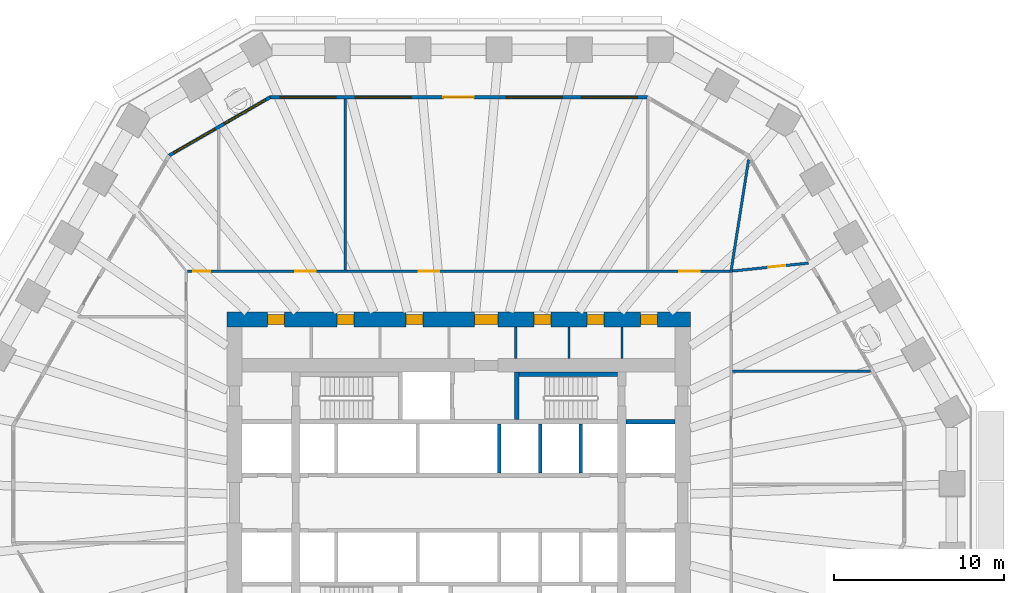
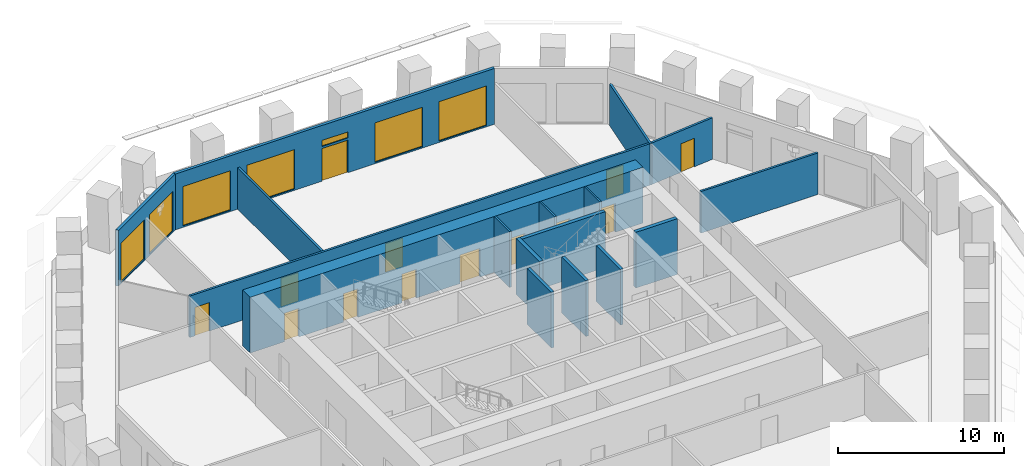
# One storey, part 7 of 12: 17 walls, 13 doors, 7 windows, 20 openings.
"""IFC4 building model written with IfcOpenShell, lengths in metres."""

from ifc_helpers import new_model, si_unit, direction, frame, frame_2d, origin, place, context, subcontext, project, spatial, polyline, rectangle, outline, extrude, material, layer, layer_set, type_object, element, fill, save


model = new_model("IFC4")

# Units and contexts
model_context = context("Model", 3, precision=1e-05, world=origin(), true_north=direction((0.0, 1.0)))
body_context = subcontext(model_context, "Body", "Model", "MODEL_VIEW")
ifc_project = project(units=[si_unit("LENGTHUNIT", "METRE"), si_unit("AREAUNIT", "SQUARE_METRE"), si_unit("VOLUMEUNIT", "CUBIC_METRE"), si_unit("PLANEANGLEUNIT", "RADIAN"), si_unit("MASSUNIT", "GRAM", prefix="KILO")], contexts=[model_context])

# Site, building, storey
site_placement = place(None, origin())
site = spatial("IfcSite", under=ifc_project, at=site_placement, CompositionType="ELEMENT")
building_placement = place(site_placement, origin())
building = spatial("IfcBuilding", under=site, at=building_placement, Name="Frailejon Research Tower", CompositionType="ELEMENT")
storey_placement = place(building_placement, frame((0.0, 0.0, 49.800048828125)))
storey = spatial("IfcBuildingStorey", under=building, at=storey_placement, Name="L11", CompositionType="ELEMENT", Elevation=49.800048828125)

# Walls
ifc_material_1 = material(Name="Plasterboard on steel studs", Category="steel")
ifc_layer_1 = layer(ifc_material_1, 0.125)
ifc_layer_set_1 = layer_set([ifc_layer_1], Name="Core partition 125")
wall_type_1 = type_object("IfcWallType", Name="Core partition 125", PredefinedType="PARTITIONING", material=ifc_layer_set_1)
for number, where, z_axis, x_axis, name in (
    (1, (3.362548828125, 8.5, 0.0), (0.0, 0.0, 1.0), (0.0, 1.0, 0.0), "Core partition"),
    (2, (6.49169921875, 8.5, 0.0), (0.0, 0.0, 1.0), (0.0, 1.0, 0.0), "Core partition"),
    (3, (9.620849609375, 8.5, 0.0), (0.0, 0.0, 1.0), (0.0, 1.0, 0.0), "Core partition"),
):
    element("IfcWall", number, at=place(storey_placement, frame(where, z_axis=z_axis, x_axis=x_axis)), inside=storey, type_object=wall_type_1, Name=name, PredefinedType="PARTITIONING", context=body_context, shape_type="SweptSolid", body=[
        extrude(rectangle(XDim=1.85009765625, YDim=0.125, at=frame_2d((0.925048828125, 0.0))), origin(), (0.0, 0.0, 1.0), 4.099853515625),
    ])

# Wall, openings, doors
ifc_material_2 = material(Name="Concrete C70/85", Category="concrete")
ifc_layer_2 = layer(ifc_material_2, 0.89990234375)
ifc_layer_set_2 = layer_set([ifc_layer_2], Name="Core shear wall 900 C70/85")
wall_type_2 = type_object("IfcWallType", Name="Core shear wall 900 C70/85", PredefinedType="SHEAR", material=ifc_layer_set_2)
wall_1_placement = place(storey_placement, frame((-13.64990234375, 10.800048828125, 0.0), z_axis=(0.0, 0.0, 1.0), x_axis=(1.0, 0.0, 0.0)))
wall_1 = element("IfcWall", 4, at=wall_1_placement, inside=storey, type_object=wall_type_2, Name="Core shear wall", PredefinedType="SHEAR", context=body_context, shape_type="SweptSolid", body=[
    extrude(rectangle(XDim=27.2998046875, YDim=0.89990234375, at=frame_2d((13.64990234375, 0.0))), origin(), (0.0, 0.0, 1.0), 4.099853515625),
])
opening_1_placement = place(wall_1_placement, frame((2.39990234375, 0.0, 0.0)))
opening_1 = element("IfcOpeningElement", 5, at=opening_1_placement, cuts=wall_1, Name="Opening D4", PredefinedType="OPENING", context=body_context, shape_type="SweptSolid", body=[
    extrude(rectangle(XDim=1.0, YDim=2.10009765625, at=frame_2d((0.5, 1.050048828125))), frame((0.0, 0.4599609375, 0.0), z_axis=(0.0, -1.0, 0.0), x_axis=(1.0, 0.0, 0.0)), (0.0, 0.0, 1.0), 0.919921875),
])
opening_2_placement = place(wall_1_placement, frame((6.49365234375, 0.0, 0.0)))
opening_2 = element("IfcOpeningElement", 6, at=opening_2_placement, cuts=wall_1, Name="Opening D4", PredefinedType="OPENING", context=body_context, shape_type="SweptSolid", body=[
    extrude(rectangle(XDim=1.0, YDim=2.10009765625, at=frame_2d((0.5, 1.050048828125))), frame((0.0, 0.4599609375, 0.0), z_axis=(0.0, -1.0, 0.0), x_axis=(1.0, 0.0, 0.0)), (0.0, 0.0, 1.0), 0.919921875),
])
opening_3_placement = place(wall_1_placement, frame((10.55615234375, 0.0, 0.0)))
opening_3 = element("IfcOpeningElement", 7, at=opening_3_placement, cuts=wall_1, Name="Opening D4", PredefinedType="OPENING", context=body_context, shape_type="SweptSolid", body=[
    extrude(rectangle(XDim=1.0, YDim=2.10009765625, at=frame_2d((0.5, 1.050048828125))), frame((0.0, 0.4599609375, 0.0), z_axis=(0.0, -1.0, 0.0), x_axis=(1.0, 0.0, 0.0)), (0.0, 0.0, 1.0), 0.919921875),
])
opening_4_placement = place(wall_1_placement, frame((18.0771484375, 0.0, 0.0)))
opening_4 = element("IfcOpeningElement", 8, at=opening_4_placement, cuts=wall_1, Name="Opening D4", PredefinedType="OPENING", context=body_context, shape_type="SweptSolid", body=[
    extrude(rectangle(XDim=1.0, YDim=2.10009765625, at=frame_2d((0.5, 1.050048828125))), frame((0.0, 0.4599609375, 0.0), z_axis=(0.0, -1.0, 0.0), x_axis=(1.0, 0.0, 0.0)), (0.0, 0.0, 1.0), 0.919921875),
])
opening_5_placement = place(wall_1_placement, frame((21.206298828125, 0.0, 0.0)))
opening_5 = element("IfcOpeningElement", 9, at=opening_5_placement, cuts=wall_1, Name="Opening D4", PredefinedType="OPENING", context=body_context, shape_type="SweptSolid", body=[
    extrude(rectangle(XDim=1.0, YDim=2.10009765625, at=frame_2d((0.5, 1.050048828125))), frame((0.0, 0.4599609375, 0.0), z_axis=(0.0, -1.0, 0.0), x_axis=(1.0, 0.0, 0.0)), (0.0, 0.0, 1.0), 0.919921875),
])
opening_6_placement = place(wall_1_placement, frame((24.36669921875, 0.0, 0.0)))
opening_6 = element("IfcOpeningElement", 10, at=opening_6_placement, cuts=wall_1, Name="Opening D4", PredefinedType="OPENING", context=body_context, shape_type="SweptSolid", body=[
    extrude(rectangle(XDim=1.0, YDim=2.10009765625, at=frame_2d((0.5, 1.050048828125))), frame((0.0, 0.4599609375, 0.0), z_axis=(0.0, -1.0, 0.0), x_axis=(1.0, 0.0, 0.0)), (0.0, 0.0, 1.0), 0.919921875),
])
opening_7_placement = place(wall_1_placement, frame((14.574951171875, 0.0, 0.0)))
opening_7 = element("IfcOpeningElement", 11, at=opening_7_placement, cuts=wall_1, Name="Opening D9", PredefinedType="OPENING", context=body_context, shape_type="SweptSolid", body=[
    extrude(rectangle(XDim=1.39990234375, YDim=2.10009765625, at=frame_2d((0.699951171875, 1.050048828125))), frame((0.0, 0.4599609375, 0.0), z_axis=(0.0, -1.0, 0.0), x_axis=(1.0, 0.0, 0.0)), (0.0, 0.0, 1.0), 0.919921875),
])
ifc_material_3 = material(Name="Steel", Category="steel")
door_type_1 = type_object("IfcDoorType", Name="Goods lobby door", OperationType="DOUBLE_DOOR_SINGLE_SWING", PredefinedType="DOOR", material=ifc_material_3)
door_1_placement = place(opening_7_placement, origin())
door_1 = element("IfcDoor", 12, at=door_1_placement, inside=storey, type_object=door_type_1, Name="Passage door", OperationType="DOUBLE_DOOR_SINGLE_SWING", OverallHeight=2.10009765625, OverallWidth=1.39990234375, PredefinedType="DOOR", context=body_context, shape_type="SweptSolid", body=[
    extrude(rectangle(XDim=1.39990234375, YDim=2.10009765625, at=frame_2d((0.699951171875, 1.050048828125))), frame((0.0, 0.300048828125, 0.0), z_axis=(0.0, -1.0, 0.0), x_axis=(1.0, 0.0, 0.0)), (0.0, 0.0, 1.0), 0.60009765625),
])
fill(opening_7, door_1)
ifc_material_4 = material(Name="Steel", Category="steel")
door_type_2 = type_object("IfcDoorType", Name="Service door", OperationType="SINGLE_SWING_LEFT", PredefinedType="DOOR", material=ifc_material_4)
door_2_placement = place(opening_1_placement, origin())
door_2 = element("IfcDoor", 13, at=door_2_placement, inside=storey, type_object=door_type_2, Name="Room door", OperationType="SINGLE_SWING_RIGHT", OverallHeight=2.10009765625, OverallWidth=1.0, PredefinedType="DOOR", context=body_context, shape_type="SweptSolid", body=[
    extrude(rectangle(XDim=1.0, YDim=2.10009765625, at=frame_2d((0.5, 1.050048828125))), frame((0.0, 0.300048828125, 0.0), z_axis=(0.0, -1.0, 0.0), x_axis=(1.0, 0.0, 0.0)), (0.0, 0.0, 1.0), 0.60009765625),
])
fill(opening_1, door_2)
door_3_placement = place(opening_2_placement, origin())
door_3 = element("IfcDoor", 14, at=door_3_placement, inside=storey, type_object=door_type_2, Name="Room door", OperationType="SINGLE_SWING_LEFT", OverallHeight=2.10009765625, OverallWidth=1.0, PredefinedType="DOOR", context=body_context, shape_type="SweptSolid", body=[
    extrude(rectangle(XDim=1.0, YDim=2.10009765625, at=frame_2d((0.5, 1.050048828125))), frame((0.0, 0.300048828125, 0.0), z_axis=(0.0, -1.0, 0.0), x_axis=(1.0, 0.0, 0.0)), (0.0, 0.0, 1.0), 0.60009765625),
])
fill(opening_2, door_3)
door_4_placement = place(opening_3_placement, origin())
door_4 = element("IfcDoor", 15, at=door_4_placement, inside=storey, type_object=door_type_2, Name="Room door", OperationType="SINGLE_SWING_RIGHT", OverallHeight=2.10009765625, OverallWidth=1.0, PredefinedType="DOOR", context=body_context, shape_type="SweptSolid", body=[
    extrude(rectangle(XDim=1.0, YDim=2.10009765625, at=frame_2d((0.5, 1.050048828125))), frame((0.0, 0.300048828125, 0.0), z_axis=(0.0, -1.0, 0.0), x_axis=(1.0, 0.0, 0.0)), (0.0, 0.0, 1.0), 0.60009765625),
])
fill(opening_3, door_4)
door_5_placement = place(opening_4_placement, origin())
door_5 = element("IfcDoor", 16, at=door_5_placement, inside=storey, type_object=door_type_2, Name="Room door", OperationType="SINGLE_SWING_LEFT", OverallHeight=2.10009765625, OverallWidth=1.0, PredefinedType="DOOR", context=body_context, shape_type="SweptSolid", body=[
    extrude(rectangle(XDim=1.0, YDim=2.10009765625, at=frame_2d((0.5, 1.050048828125))), frame((0.0, 0.300048828125, 0.0), z_axis=(0.0, -1.0, 0.0), x_axis=(1.0, 0.0, 0.0)), (0.0, 0.0, 1.0), 0.60009765625),
])
fill(opening_4, door_5)
door_6_placement = place(opening_5_placement, origin())
door_6 = element("IfcDoor", 17, at=door_6_placement, inside=storey, type_object=door_type_2, Name="Room door", OperationType="SINGLE_SWING_RIGHT", OverallHeight=2.10009765625, OverallWidth=1.0, PredefinedType="DOOR", context=body_context, shape_type="SweptSolid", body=[
    extrude(rectangle(XDim=1.0, YDim=2.10009765625, at=frame_2d((0.5, 1.050048828125))), frame((0.0, 0.300048828125, 0.0), z_axis=(0.0, -1.0, 0.0), x_axis=(1.0, 0.0, 0.0)), (0.0, 0.0, 1.0), 0.60009765625),
])
fill(opening_5, door_6)
door_7_placement = place(opening_6_placement, origin())
door_7 = element("IfcDoor", 18, at=door_7_placement, inside=storey, type_object=door_type_2, Name="Room door", OperationType="SINGLE_SWING_LEFT", OverallHeight=2.10009765625, OverallWidth=1.0, PredefinedType="DOOR", context=body_context, shape_type="SweptSolid", body=[
    extrude(rectangle(XDim=1.0, YDim=2.10009765625, at=frame_2d((0.5, 1.050048828125))), frame((0.0, 0.300048828125, 0.0), z_axis=(0.0, -1.0, 0.0), x_axis=(1.0, 0.0, 0.0)), (0.0, 0.0, 1.0), 0.60009765625),
])
fill(opening_6, door_7)

ifc_material_5 = material(Name="Gypsum board and masonry partition", Category="masonry")
ifc_layer_3 = layer(ifc_material_5, 0.14990234375)
ifc_layer_set_3 = layer_set([ifc_layer_3], Name="Corridor wall EI 60, gypsum on steel studs 150")
wall_type_3 = type_object("IfcWallType", Name="Corridor wall EI 60, gypsum on steel studs 150", PredefinedType="PARTITIONING", material=ifc_layer_set_3)
wall_2_placement = place(storey_placement, frame((-15.97509765625, 13.64990234375, 0.0), z_axis=(0.0, 0.0, 1.0), x_axis=(1.0, 0.0, 0.0)))
wall_2 = element("IfcWall", 19, at=wall_2_placement, inside=storey, type_object=wall_type_3, Name="T:IW:L11:002", PredefinedType="PARTITIONING", context=body_context, shape_type="SweptSolid", body=[
    extrude(rectangle(XDim=31.9501953125, YDim=0.14990234375, at=frame_2d((15.97509765625, 0.0))), origin(), (0.0, 0.0, 1.0), 3.050048828125),
])
opening_8_placement = place(wall_2_placement, frame((28.966796875, 0.0, 0.0)))
opening_8 = element("IfcOpeningElement", 20, at=opening_8_placement, cuts=wall_2, Name="Opening D1406", PredefinedType="OPENING", context=body_context, shape_type="SweptSolid", body=[
    extrude(rectangle(XDim=1.199951171875, YDim=2.10009765625, at=frame_2d((0.60009765625, 1.050048828125))), frame((0.0, 0.0849609375, 0.0), z_axis=(0.0, -1.0, 0.0), x_axis=(1.0, 0.0, 0.0)), (0.0, 0.0, 1.0), 0.169921875),
])
opening_9_placement = place(wall_2_placement, frame((13.623291015625, 0.0, 0.0)))
opening_9 = element("IfcOpeningElement", 21, at=opening_9_placement, cuts=wall_2, Name="Opening D1407", PredefinedType="OPENING", context=body_context, shape_type="SweptSolid", body=[
    extrude(rectangle(XDim=1.199951171875, YDim=2.10009765625, at=frame_2d((0.60009765625, 1.050048828125))), frame((0.0, 0.0849609375, 0.0), z_axis=(0.0, -1.0, 0.0), x_axis=(1.0, 0.0, 0.0)), (0.0, 0.0, 1.0), 0.169921875),
])
opening_10_placement = place(wall_2_placement, frame((6.3564453125, 0.0, 0.0)))
opening_10 = element("IfcOpeningElement", 22, at=opening_10_placement, cuts=wall_2, Name="Opening D1408", PredefinedType="OPENING", context=body_context, shape_type="SweptSolid", body=[
    extrude(rectangle(XDim=1.199951171875, YDim=2.10009765625, at=frame_2d((0.60009765625, 1.050048828125))), frame((0.0, 0.0849609375, 0.0), z_axis=(0.0, -1.0, 0.0), x_axis=(1.0, 0.0, 0.0)), (0.0, 0.0, 1.0), 0.169921875),
])
opening_11_placement = place(wall_2_placement, frame((0.3505859375, 0.0, 0.0)))
opening_11 = element("IfcOpeningElement", 23, at=opening_11_placement, cuts=wall_2, Name="Opening D1409", PredefinedType="OPENING", context=body_context, shape_type="SweptSolid", body=[
    extrude(rectangle(XDim=1.0, YDim=2.10009765625, at=frame_2d((0.5, 1.050048828125))), frame((0.0, 0.0849609375, 0.0), z_axis=(0.0, -1.0, 0.0), x_axis=(1.0, 0.0, 0.0)), (0.0, 0.0, 1.0), 0.169921875),
])
ifc_material_6 = material(Name="Timber door leaf", Category="wood")
door_type_3 = type_object("IfcDoorType", Name="Door laboratory, timber, vision panel 1200", OperationType="NOTDEFINED", PredefinedType="DOOR", material=ifc_material_6)
door_8_placement = place(opening_8_placement, origin())
door_8 = element("IfcDoor", 24, at=door_8_placement, inside=storey, type_object=door_type_3, Name="D1406", OperationType="DOUBLE_DOOR_SINGLE_SWING", OverallHeight=2.10009765625, OverallWidth=1.199951171875, PredefinedType="DOOR", context=body_context, shape_type="SweptSolid", body=[
    extrude(rectangle(XDim=1.199951171875, YDim=2.10009765625, at=frame_2d((0.60009765625, 1.050048828125))), frame((0.0, 0.02490234375, 0.0), z_axis=(0.0, -1.0, 0.0), x_axis=(1.0, 0.0, 0.0)), (0.0, 0.0, 1.0), 0.050048828125),
])
fill(opening_8, door_8)
door_9_placement = place(opening_9_placement, origin())
door_9 = element("IfcDoor", 25, at=door_9_placement, inside=storey, type_object=door_type_3, Name="D1407", OperationType="DOUBLE_DOOR_SINGLE_SWING", OverallHeight=2.10009765625, OverallWidth=1.199951171875, PredefinedType="DOOR", context=body_context, shape_type="SweptSolid", body=[
    extrude(rectangle(XDim=1.199951171875, YDim=2.10009765625, at=frame_2d((0.60009765625, 1.050048828125))), frame((0.0, 0.02490234375, 0.0), z_axis=(0.0, -1.0, 0.0), x_axis=(1.0, 0.0, 0.0)), (0.0, 0.0, 1.0), 0.050048828125),
])
fill(opening_9, door_9)
door_10_placement = place(opening_10_placement, origin())
door_10 = element("IfcDoor", 26, at=door_10_placement, inside=storey, type_object=door_type_3, Name="D1408", OperationType="DOUBLE_DOOR_SINGLE_SWING", OverallHeight=2.10009765625, OverallWidth=1.199951171875, PredefinedType="DOOR", context=body_context, shape_type="SweptSolid", body=[
    extrude(rectangle(XDim=1.199951171875, YDim=2.10009765625, at=frame_2d((0.60009765625, 1.050048828125))), frame((0.0, 0.02490234375, 0.0), z_axis=(0.0, -1.0, 0.0), x_axis=(1.0, 0.0, 0.0)), (0.0, 0.0, 1.0), 0.050048828125),
])
fill(opening_10, door_10)
ifc_material_7 = material(Name="Timber door leaf", Category="wood")
door_type_4 = type_object("IfcDoorType", Name="Door single leaf, timber, steel frame 1000", OperationType="NOTDEFINED", PredefinedType="DOOR", material=ifc_material_7)
door_11_placement = place(opening_11_placement, origin())
door_11 = element("IfcDoor", 27, at=door_11_placement, inside=storey, type_object=door_type_4, Name="D1409", OperationType="SINGLE_SWING_LEFT", OverallHeight=2.10009765625, OverallWidth=1.0, PredefinedType="DOOR", context=body_context, shape_type="SweptSolid", body=[
    extrude(rectangle(XDim=1.0, YDim=2.10009765625, at=frame_2d((0.5, 1.050048828125))), frame((0.0, 0.02490234375, 0.0), z_axis=(0.0, -1.0, 0.0), x_axis=(1.0, 0.0, 0.0)), (0.0, 0.0, 1.0), 0.050048828125),
])
fill(opening_11, door_11)

# Wall
ifc_material_8 = material(Name="Gypsum board and masonry partition", Category="masonry")
ifc_layer_4 = layer(ifc_material_8, 0.14990234375)
ifc_layer_set_4 = layer_set([ifc_layer_4], Name="Laboratory partition, blockwork 150")
wall_type_4 = type_object("IfcWallType", Name="Laboratory partition, blockwork 150", PredefinedType="PARTITIONING", material=ifc_layer_set_4)
wall_3_placement = place(storey_placement, frame((16.125, 7.763427734375, 0.0), z_axis=(0.0, 0.0, 1.0), x_axis=(1.0, 0.0, 0.0)))
element("IfcWall", 28, at=wall_3_placement, inside=storey, type_object=wall_type_4, Name="T:IW:L11:005", PredefinedType="PARTITIONING", context=body_context, shape_type="SweptSolid", body=[
    extrude(rectangle(XDim=8.152099609375, YDim=0.14990234375, at=frame_2d((4.076171875, 0.0))), origin(), (0.0, 0.0, 1.0), 3.050048828125),
])

# Wall, opening, door
wall_4_placement = place(storey_placement, frame((16.12451171875, 13.65771484375, 0.0), z_axis=(0.0, 0.0, 1.0), x_axis=(0.994555840656, 0.10420498941, 0.0)))
wall_4 = element("IfcWall", 29, at=wall_4_placement, inside=storey, type_object=wall_type_4, Name="T:IW:L11:007", PredefinedType="PARTITIONING", context=body_context, shape_type="SweptSolid", body=[
    extrude(rectangle(XDim=4.5029296875, YDim=0.14990234375, at=frame_2d((2.25146484375, 0.0))), origin(), (0.0, 0.0, 1.0), 3.050048828125),
])
opening_12_placement = place(wall_4_placement, frame((2.145751953125, 0.0, 0.0)))
opening_12 = element("IfcOpeningElement", 30, at=opening_12_placement, cuts=wall_4, Name="Opening D1405", PredefinedType="OPENING", context=body_context, shape_type="SweptSolid", body=[
    extrude(rectangle(XDim=1.0, YDim=2.10009765625, at=frame_2d((0.5, 1.050048828125))), frame((0.0, 0.0849609375, 0.0), z_axis=(0.0, -1.0, 0.0), x_axis=(1.0, 0.0, 0.0)), (0.0, 0.0, 1.0), 0.169921875),
])
door_12_placement = place(opening_12_placement, origin())
door_12 = element("IfcDoor", 31, at=door_12_placement, inside=storey, type_object=door_type_4, Name="D1405", OperationType="SINGLE_SWING_RIGHT", OverallHeight=2.10009765625, OverallWidth=1.0, PredefinedType="DOOR", context=body_context, shape_type="SweptSolid", body=[
    extrude(rectangle(XDim=1.0, YDim=2.10009765625, at=frame_2d((0.5, 1.050048828125))), frame((0.0, 0.02490234375, 0.0), z_axis=(0.0, -1.0, 0.0), x_axis=(1.0, 0.0, 0.0)), (0.0, 0.0, 1.0), 0.050048828125),
])
fill(opening_12, door_12)

# Walls
wall_5_placement = place(storey_placement, frame((16.038330078125, 13.575927734375, 0.0), z_axis=(0.0, 0.0, 1.0), x_axis=(0.155464992738, 0.987841402267, 0.0)))
element("IfcWall", 32, at=wall_5_placement, inside=storey, type_object=wall_type_4, Name="T:IW:L11:008", PredefinedType="PARTITIONING", context=body_context, shape_type="SweptSolid", body=[
    extrude(rectangle(XDim=6.7275390625, YDim=0.14990234375, at=frame_2d((3.36376953125, 0.0))), origin(), (0.0, 0.0, 1.0), 3.050048828125),
])
wall_6_placement = place(storey_placement, frame((-6.68017578125, 13.72509765625, 0.0), z_axis=(0.0, 0.0, 1.0), x_axis=(0.0, 1.0, 0.0)))
element("IfcWall", 33, at=wall_6_placement, inside=storey, type_object=wall_type_4, Name="T:IW:L11:010", PredefinedType="PARTITIONING", context=body_context, shape_type="SweptSolid", body=[
    extrude(rectangle(XDim=10.074951171875, YDim=0.14990234375, at=frame_2d((5.03759765625, 0.0))), origin(), (0.0, 0.0, 1.0), 3.050048828125),
])
ifc_material_9 = material(Name="Concrete C70/85", Category="concrete")
ifc_layer_5 = layer(ifc_material_9, 0.199951171875)
ifc_layer_set_5 = layer_set([ifc_layer_5], Name="Shaft wall 200 C70/85")
wall_type_5 = type_object("IfcWallType", Name="Shaft wall 200 C70/85", PredefinedType="SOLIDWALL", material=ifc_layer_set_5)
for number, where, z_axis, x_axis, name in (
    (34, (2.39990234375, 1.75, 0.0), (0.0, 0.0, 1.0), (0.0, 1.0, 0.0), "Shaft wall"),
    (35, (4.800048828125, 1.75, 0.0), (0.0, 0.0, 1.0), (0.0, 1.0, 0.0), "Shaft wall"),
    (36, (7.199951171875, 1.75, 0.0), (0.0, 0.0, 1.0), (0.0, 1.0, 0.0), "Shaft wall"),
):
    element("IfcWall", number, at=place(storey_placement, frame(where, z_axis=z_axis, x_axis=x_axis)), inside=storey, type_object=wall_type_5, Name=name, PredefinedType="SOLIDWALL", context=body_context, shape_type="SweptSolid", body=[
        extrude(rectangle(XDim=2.89990234375, YDim=0.199951171875, at=frame_2d((1.449951171875, 0.0))), origin(), (0.0, 0.0, 1.0), 4.099853515625),
    ])
ifc_material_10 = material(Name="Concrete C70/85", Category="concrete")
ifc_layer_6 = layer(ifc_material_10, 0.25)
ifc_layer_set_6 = layer_set([ifc_layer_6], Name="Shaft wall 250 C70/85")
wall_type_6 = type_object("IfcWallType", Name="Shaft wall 250 C70/85", PredefinedType="SOLIDWALL", material=ifc_layer_set_6)
wall_7_placement = place(storey_placement, frame((9.85009765625, 4.77490234375, 0.0), z_axis=(0.0, 0.0, 1.0), x_axis=(1.0, 0.0, 0.0)))
element("IfcWall", 37, at=wall_7_placement, inside=storey, type_object=wall_type_6, Name="Shaft wall", PredefinedType="SOLIDWALL", context=body_context, shape_type="SweptSolid", body=[
    extrude(rectangle(XDim=2.89990234375, YDim=0.25, at=frame_2d((1.449951171875, 0.0))), origin(), (0.0, 0.0, 1.0), 4.099853515625),
])
wall_8_placement = place(storey_placement, frame((3.550048828125, 7.574951171875, 0.0), z_axis=(0.0, 0.0, 1.0), x_axis=(1.0, 0.0, 0.0)))
element("IfcWall", 38, at=wall_8_placement, inside=storey, type_object=wall_type_6, Name="Shaft wall", PredefinedType="SOLIDWALL", context=body_context, shape_type="SweptSolid", body=[
    extrude(rectangle(XDim=5.800048828125, YDim=0.25, at=frame_2d((2.89990234375, 0.0))), origin(), (0.0, 0.0, 1.0), 4.099853515625),
])
wall_9_placement = place(storey_placement, frame((3.425048828125, 4.89990234375, 0.0), z_axis=(0.0, 0.0, 1.0), x_axis=(0.0, 1.0, 0.0)))
element("IfcWall", 39, at=wall_9_placement, inside=storey, type_object=wall_type_6, Name="Shaft wall", PredefinedType="SOLIDWALL", context=body_context, shape_type="SweptSolid", body=[
    extrude(rectangle(XDim=2.800048828125, YDim=0.25, at=frame_2d((1.39990234375, 0.0))), origin(), (0.0, 0.0, 1.0), 4.099853515625),
])

# Wall, openings, door, windows
ifc_material_11 = material(Name="Concrete C40/50 precast window wall panel", Category="concrete")
ifc_layer_7 = layer(ifc_material_11, 0.199951171875)
ifc_layer_set_7 = layer_set([ifc_layer_7], Name="Window wall 200")
wall_type_7 = type_object("IfcWallType", Name="Window wall 200", PredefinedType="SOLIDWALL", material=ifc_layer_set_7)
wall_10_placement = place(storey_placement, frame((11.10693359375, 23.89990234375, 0.0), z_axis=(0.0, 0.0, 1.0), x_axis=(-1.0, 0.0, 0.0)))
wall_10 = element("IfcWall", 40, at=wall_10_placement, inside=storey, type_object=wall_type_7, Name="Exterior wall L11", PredefinedType="SOLIDWALL", context=body_context, shape_type="SweptSolid", body=[
    extrude(outline(polyline([(-0.02685546875, -0.10009765625), (0.9853515625, -0.10009765625), (1.99755859375, -0.10009765625), (3.009521484375, -0.10009765625), (4.021728515625, -0.10009765625), (5.033935546875, -0.10009765625), (6.046142578125, -0.10009765625), (7.058349609375, -0.10009765625), (8.070556640625, -0.10009765625), (9.08251953125, -0.10009765625), (10.0947265625, -0.10009765625), (11.10693359375, -0.10009765625), (12.119140625, -0.10009765625), (13.13134765625, -0.10009765625), (14.143310546875, -0.10009765625), (15.155517578125, -0.10009765625), (16.167724609375, -0.10009765625), (17.179931640625, -0.10009765625), (18.192138671875, -0.10009765625), (19.204345703125, -0.10009765625), (20.21630859375, -0.10009765625), (21.228515625, -0.10009765625), (22.24072265625, -0.10009765625), (22.18701171875, 0.10009765625), (21.1796875, 0.10009765625), (20.17236328125, 0.10009765625), (19.165283203125, 0.10009765625), (18.157958984375, 0.10009765625), (17.150634765625, 0.10009765625), (16.143310546875, 0.10009765625), (15.135986328125, 0.10009765625), (14.128662109375, 0.10009765625), (13.12158203125, 0.10009765625), (12.1142578125, 0.10009765625), (11.10693359375, 0.10009765625), (10.099609375, 0.10009765625), (9.09228515625, 0.10009765625), (8.085205078125, 0.10009765625), (7.077880859375, 0.10009765625), (6.070556640625, 0.10009765625), (5.063232421875, 0.10009765625), (4.055908203125, 0.10009765625), (3.048583984375, 0.10009765625), (2.04150390625, 0.10009765625), (1.0341796875, 0.10009765625), (0.02685546875, 0.10009765625), (-0.02685546875, -0.10009765625)])), origin(), (0.0, 0.0, 1.0), 4.099853515625),
])
opening_13_placement = place(wall_10_placement, frame((0.5712890625, 0.0, 0.10009765625)))
opening_13 = element("IfcOpeningElement", 41, at=opening_13_placement, cuts=wall_10, Name="Opening W5", PredefinedType="OPENING", context=body_context, shape_type="SweptSolid", body=[
    extrude(rectangle(XDim=3.300048828125, YDim=2.89990234375, at=frame_2d((1.64990234375, 1.449951171875))), frame((0.0, 0.10986328125, 0.0), z_axis=(0.0, -1.0, 0.0), x_axis=(1.0, 0.0, 0.0)), (0.0, 0.0, 1.0), 0.219970703125),
])
opening_14_placement = place(wall_10_placement, frame((5.01416015625, 0.0, 0.10009765625)))
opening_14 = element("IfcOpeningElement", 42, at=opening_14_placement, cuts=wall_10, Name="Opening W5", PredefinedType="OPENING", context=body_context, shape_type="SweptSolid", body=[
    extrude(rectangle(XDim=3.300048828125, YDim=2.89990234375, at=frame_2d((1.64990234375, 1.449951171875))), frame((0.0, 0.10986328125, 0.0), z_axis=(0.0, -1.0, 0.0), x_axis=(1.0, 0.0, 0.0)), (0.0, 0.0, 1.0), 0.219970703125),
])
opening_15_placement = place(wall_10_placement, frame((10.206787109375, 0.0, 0.0)))
opening_15 = element("IfcOpeningElement", 43, at=opening_15_placement, cuts=wall_10, Name="Opening LG11-2", PredefinedType="OPENING", context=body_context, shape_type="SweptSolid", body=[
    extrude(rectangle(XDim=1.800048828125, YDim=2.39990234375, at=frame_2d((0.89990234375, 1.199951171875))), frame((0.0, 0.10986328125, 0.0), z_axis=(0.0, -1.0, 0.0), x_axis=(1.0, 0.0, 0.0)), (0.0, 0.0, 1.0), 0.219970703125),
])
opening_16_placement = place(wall_10_placement, frame((10.206787109375, 0.0, 2.550048828125)))
opening_16 = element("IfcOpeningElement", 44, at=opening_16_placement, cuts=wall_10, Name="Opening W1", PredefinedType="OPENING", context=body_context, shape_type="SweptSolid", body=[
    extrude(rectangle(XDim=1.800048828125, YDim=0.449951171875, at=frame_2d((0.89990234375, 0.22509765625))), frame((0.0, 0.10986328125, 0.0), z_axis=(0.0, -1.0, 0.0), x_axis=(1.0, 0.0, 0.0)), (0.0, 0.0, 1.0), 0.219970703125),
])
opening_17_placement = place(wall_10_placement, frame((13.899658203125, 0.0, 0.10009765625)))
opening_17 = element("IfcOpeningElement", 45, at=opening_17_placement, cuts=wall_10, Name="Opening W5", PredefinedType="OPENING", context=body_context, shape_type="SweptSolid", body=[
    extrude(rectangle(XDim=3.300048828125, YDim=2.89990234375, at=frame_2d((1.64990234375, 1.449951171875))), frame((0.0, 0.10986328125, 0.0), z_axis=(0.0, -1.0, 0.0), x_axis=(1.0, 0.0, 0.0)), (0.0, 0.0, 1.0), 0.219970703125),
])
opening_18_placement = place(wall_10_placement, frame((18.342529296875, 0.0, 0.10009765625)))
opening_18 = element("IfcOpeningElement", 46, at=opening_18_placement, cuts=wall_10, Name="Opening W5", PredefinedType="OPENING", context=body_context, shape_type="SweptSolid", body=[
    extrude(rectangle(XDim=3.300048828125, YDim=2.89990234375, at=frame_2d((1.64990234375, 1.449951171875))), frame((0.0, 0.10986328125, 0.0), z_axis=(0.0, -1.0, 0.0), x_axis=(1.0, 0.0, 0.0)), (0.0, 0.0, 1.0), 0.219970703125),
])
ifc_material_12 = material(Name="Aluminium framed glazed door leaf", Category="aluminium")
door_type_5 = type_object("IfcDoorType", Name="Loggia door 1800x2400", OperationType="DOUBLE_DOOR_SINGLE_SWING", PredefinedType="DOOR", material=ifc_material_12)
door_13_placement = place(opening_15_placement, origin())
door_13 = element("IfcDoor", 47, at=door_13_placement, inside=storey, type_object=door_type_5, Name="Door LG11-2", OperationType="DOUBLE_DOOR_SINGLE_SWING", OverallHeight=2.39990234375, OverallWidth=1.800048828125, PredefinedType="DOOR", context=body_context, shape_type="SweptSolid", body=[
    extrude(rectangle(XDim=1.800048828125, YDim=2.39990234375, at=frame_2d((0.89990234375, 1.199951171875))), frame((0.0, 0.02490234375, 0.0), z_axis=(0.0, -1.0, 0.0), x_axis=(1.0, 0.0, 0.0)), (0.0, 0.0, 1.0), 0.050048828125),
])
fill(opening_15, door_13)
ifc_material_13 = material(Name="Aluminium framed double glazing", Category="aluminium")
window_type_1 = type_object("IfcWindowType", Name="Window 1800x450", PartitioningType="SINGLE_PANEL", PredefinedType="WINDOW", material=ifc_material_13)
window_1_placement = place(opening_16_placement, origin())
window_1 = element("IfcWindow", 48, at=window_1_placement, inside=storey, type_object=window_type_1, Name="Window L11", OverallHeight=0.449951171875, OverallWidth=1.800048828125, PartitioningType="SINGLE_PANEL", PredefinedType="WINDOW", context=body_context, shape_type="SweptSolid", body=[
    extrude(rectangle(XDim=1.800048828125, YDim=0.449951171875, at=frame_2d((0.89990234375, 0.22509765625))), frame((0.0, 0.030029296875, 0.0), z_axis=(0.0, -1.0, 0.0), x_axis=(1.0, 0.0, 0.0)), (0.0, 0.0, 1.0), 0.06005859375),
])
fill(opening_16, window_1)
ifc_material_14 = material(Name="Aluminium framed double glazing", Category="aluminium")
window_type_2 = type_object("IfcWindowType", Name="Window 3300x2900", PartitioningType="SINGLE_PANEL", PredefinedType="WINDOW", material=ifc_material_14)
window_2_placement = place(opening_13_placement, origin())
window_2 = element("IfcWindow", 49, at=window_2_placement, inside=storey, type_object=window_type_2, Name="Window L11", OverallHeight=2.89990234375, OverallWidth=3.300048828125, PartitioningType="SINGLE_PANEL", PredefinedType="WINDOW", context=body_context, shape_type="SweptSolid", body=[
    extrude(rectangle(XDim=3.300048828125, YDim=2.89990234375, at=frame_2d((1.64990234375, 1.449951171875))), frame((0.0, 0.030029296875, 0.0), z_axis=(0.0, -1.0, 0.0), x_axis=(1.0, 0.0, 0.0)), (0.0, 0.0, 1.0), 0.06005859375),
])
fill(opening_13, window_2)
window_3_placement = place(opening_14_placement, origin())
window_3 = element("IfcWindow", 50, at=window_3_placement, inside=storey, type_object=window_type_2, Name="Window L11", OverallHeight=2.89990234375, OverallWidth=3.300048828125, PartitioningType="SINGLE_PANEL", PredefinedType="WINDOW", context=body_context, shape_type="SweptSolid", body=[
    extrude(rectangle(XDim=3.300048828125, YDim=2.89990234375, at=frame_2d((1.64990234375, 1.449951171875))), frame((0.0, 0.030029296875, 0.0), z_axis=(0.0, -1.0, 0.0), x_axis=(1.0, 0.0, 0.0)), (0.0, 0.0, 1.0), 0.06005859375),
])
fill(opening_14, window_3)
window_4_placement = place(opening_17_placement, origin())
window_4 = element("IfcWindow", 51, at=window_4_placement, inside=storey, type_object=window_type_2, Name="Window L11", OverallHeight=2.89990234375, OverallWidth=3.300048828125, PartitioningType="SINGLE_PANEL", PredefinedType="WINDOW", context=body_context, shape_type="SweptSolid", body=[
    extrude(rectangle(XDim=3.300048828125, YDim=2.89990234375, at=frame_2d((1.64990234375, 1.449951171875))), frame((0.0, 0.030029296875, 0.0), z_axis=(0.0, -1.0, 0.0), x_axis=(1.0, 0.0, 0.0)), (0.0, 0.0, 1.0), 0.06005859375),
])
fill(opening_17, window_4)
window_5_placement = place(opening_18_placement, origin())
window_5 = element("IfcWindow", 52, at=window_5_placement, inside=storey, type_object=window_type_2, Name="Window L11", OverallHeight=2.89990234375, OverallWidth=3.300048828125, PartitioningType="SINGLE_PANEL", PredefinedType="WINDOW", context=body_context, shape_type="SweptSolid", body=[
    extrude(rectangle(XDim=3.300048828125, YDim=2.89990234375, at=frame_2d((1.64990234375, 1.449951171875))), frame((0.0, 0.030029296875, 0.0), z_axis=(0.0, -1.0, 0.0), x_axis=(1.0, 0.0, 0.0)), (0.0, 0.0, 1.0), 0.06005859375),
])
fill(opening_18, window_5)

# Wall, openings, windows
wall_11_placement = place(storey_placement, frame((-11.10693359375, 23.89990234375, 0.0), z_axis=(0.0, 0.0, 1.0), x_axis=(-0.866029458321, -0.49999297727, 0.0)))
wall_11 = element("IfcWall", 53, at=wall_11_placement, inside=storey, type_object=wall_type_7, Name="Exterior wall L11", PredefinedType="SOLIDWALL", context=body_context, shape_type="SweptSolid", body=[
    extrude(outline(polyline([(-0.02685546875, -0.10009765625), (1.1279296875, -0.10009765625), (2.282470703125, -0.10009765625), (3.437255859375, -0.10009765625), (4.592041015625, -0.10009765625), (5.74658203125, -0.10009765625), (6.9013671875, -0.10009765625), (6.84765625, 0.10009765625), (5.7109375, 0.10009765625), (4.573974609375, 0.10009765625), (3.437255859375, 0.10009765625), (2.300537109375, 0.10009765625), (1.16357421875, 0.10009765625), (0.02685546875, 0.10009765625), (-0.02685546875, -0.10009765625)])), origin(), (0.0, 0.0, 1.0), 4.099853515625),
])
opening_19_placement = place(wall_11_placement, frame((0.318603515625, 0.0, 0.10009765625)))
opening_19 = element("IfcOpeningElement", 54, at=opening_19_placement, cuts=wall_11, Name="Opening W3", PredefinedType="OPENING", context=body_context, shape_type="SweptSolid", body=[
    extrude(rectangle(XDim=2.800048828125, YDim=2.89990234375, at=frame_2d((1.39990234375, 1.449951171875))), frame((0.0, 0.10986328125, 0.0), z_axis=(0.0, -1.0, 0.0), x_axis=(1.0, 0.0, 0.0)), (0.0, 0.0, 1.0), 0.219970703125),
])
opening_20_placement = place(wall_11_placement, frame((3.756103515625, 0.0, 0.10009765625)))
opening_20 = element("IfcOpeningElement", 55, at=opening_20_placement, cuts=wall_11, Name="Opening W3", PredefinedType="OPENING", context=body_context, shape_type="SweptSolid", body=[
    extrude(rectangle(XDim=2.800048828125, YDim=2.89990234375, at=frame_2d((1.39990234375, 1.449951171875))), frame((0.0, 0.10986328125, 0.0), z_axis=(0.0, -1.0, 0.0), x_axis=(1.0, 0.0, 0.0)), (0.0, 0.0, 1.0), 0.219970703125),
])
ifc_material_15 = material(Name="Aluminium framed double glazing", Category="aluminium")
window_type_3 = type_object("IfcWindowType", Name="Window 2800x2900", PartitioningType="SINGLE_PANEL", PredefinedType="WINDOW", material=ifc_material_15)
window_6_placement = place(opening_19_placement, origin())
window_6 = element("IfcWindow", 56, at=window_6_placement, inside=storey, type_object=window_type_3, Name="Window L11", OverallHeight=2.89990234375, OverallWidth=2.800048828125, PartitioningType="SINGLE_PANEL", PredefinedType="WINDOW", context=body_context, shape_type="SweptSolid", body=[
    extrude(rectangle(XDim=2.800048828125, YDim=2.89990234375, at=frame_2d((1.39990234375, 1.449951171875))), frame((0.0, 0.030029296875, 0.0), z_axis=(0.0, -1.0, 0.0), x_axis=(1.0, 0.0, 0.0)), (0.0, 0.0, 1.0), 0.06005859375),
])
fill(opening_19, window_6)
window_7_placement = place(opening_20_placement, origin())
window_7 = element("IfcWindow", 57, at=window_7_placement, inside=storey, type_object=window_type_3, Name="Window L11", OverallHeight=2.89990234375, OverallWidth=2.800048828125, PartitioningType="SINGLE_PANEL", PredefinedType="WINDOW", context=body_context, shape_type="SweptSolid", body=[
    extrude(rectangle(XDim=2.800048828125, YDim=2.89990234375, at=frame_2d((1.39990234375, 1.449951171875))), frame((0.0, 0.030029296875, 0.0), z_axis=(0.0, -1.0, 0.0), x_axis=(1.0, 0.0, 0.0)), (0.0, 0.0, 1.0), 0.06005859375),
])
fill(opening_20, window_7)

save(model, "model.ifc")
